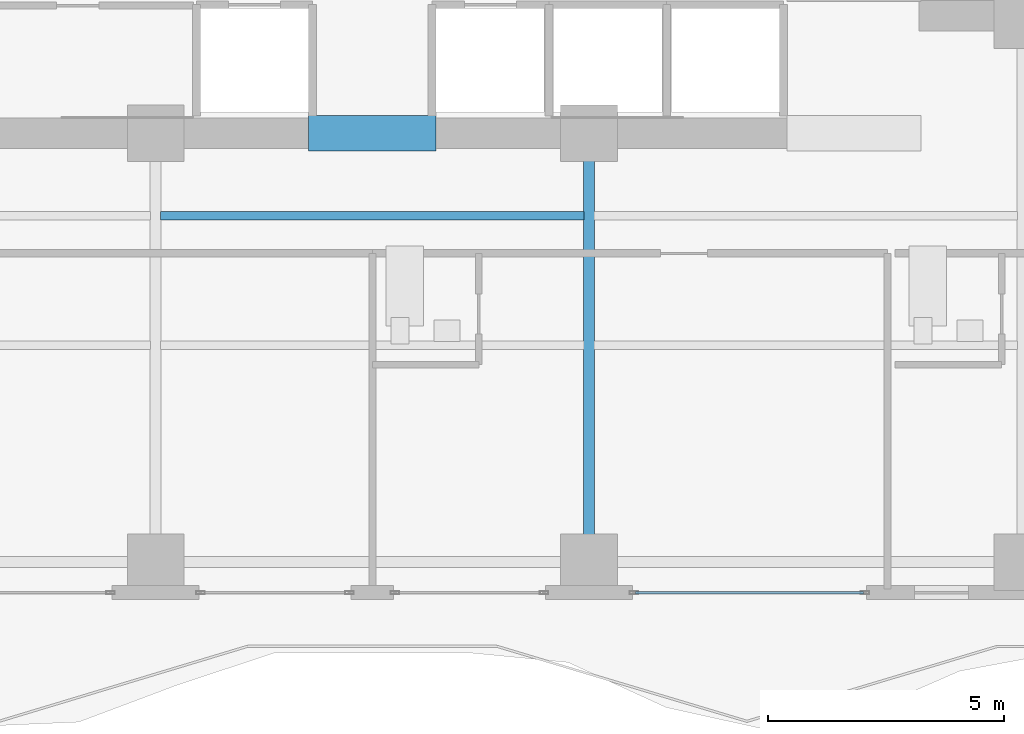
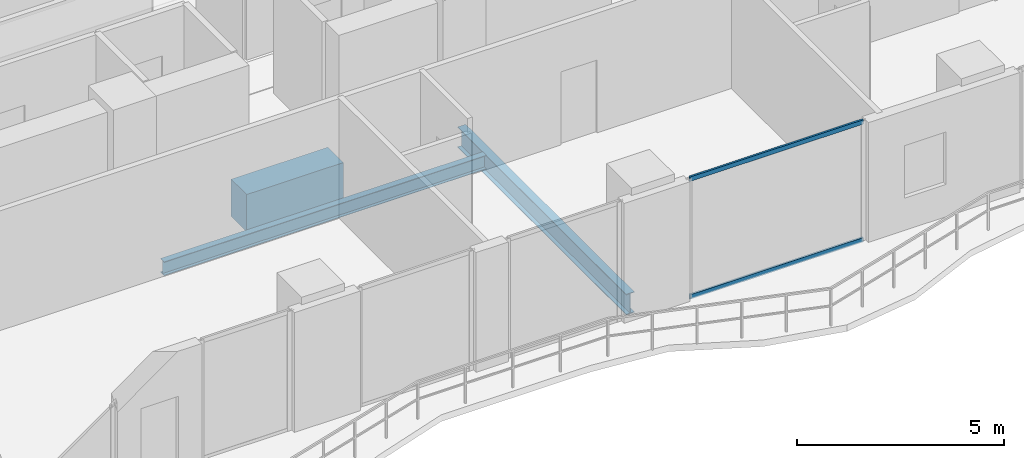
# One storey, part 7 of 33: 3 beams, 2 members, 1 element without a shape of its own.
"""IFC4 building model written with IfcOpenShell, lengths in metres."""

from ifc_helpers import new_model, si_unit, direction, frame, origin, origin_2d, place, context, subcontext, project, spatial, rectangle, hollow_rectangle, i_section, extrude, material, layer, layer_set, material_profile, profile_set, type_object, element, aggregate, save


model = new_model("IFC4")

# Units and contexts
model_context = context("Model", 3, precision=1e-05, world=origin(), true_north=direction((0.0, 1.0)))
body_context = subcontext(model_context, "Body", "Model", "MODEL_VIEW")
ifc_project = project(units=[si_unit("LENGTHUNIT", "METRE"), si_unit("AREAUNIT", "SQUARE_METRE"), si_unit("VOLUMEUNIT", "CUBIC_METRE"), si_unit("PLANEANGLEUNIT", "RADIAN"), si_unit("MASSUNIT", "GRAM", prefix="KILO")], contexts=[model_context])

# Site, building, storey
site_placement = place(None, origin())
site = spatial("IfcSite", under=ifc_project, at=site_placement, CompositionType="ELEMENT")
building_placement = place(site_placement, origin())
building = spatial("IfcBuilding", under=site, at=building_placement, Name="Zuhayl Quay Hotel", CompositionType="ELEMENT")
storey_placement = place(building_placement, frame((0.0, 0.0, 214.89990234375)))
storey = spatial("IfcBuildingStorey", under=building, at=storey_placement, Name="L54", CompositionType="ELEMENT", Elevation=214.89990234375)

# Beams
ifc_material_1 = material(Name="Steel ASTM A992 Grade 50", Category="steel")
ifc_material_profile_1 = material_profile(ifc_material_1, i_section(OverallWidth=0.22802734375, OverallDepth=0.60693359375, WebThickness=0.01123046875, FlangeThickness=0.017333984375, at=origin_2d()), Name="W24X76")
ifc_profile_set_1 = profile_set([ifc_material_profile_1], Name="Steel ASTM A992 Grade 50")
beam_type_1 = type_object("IfcBeamType", Name="BM_B3_W24X76", PredefinedType="BEAM", material=ifc_profile_set_1)
beam_1_placement = place(storey_placement, frame((4.60009765625, -6.449951171875, -0.5234375), z_axis=(0.0, 1.0, 0.0), x_axis=(-1.0, 0.0, 0.0)))
element("IfcBeam", 1, at=beam_1_placement, inside=storey, type_object=beam_type_1, Name="L54 Floor Beam FG_S_L54_3", PredefinedType="BEAM", context=body_context, shape_type="SweptSolid", body=[
    extrude(i_section(OverallWidth=0.22802734375, OverallDepth=0.60693359375, WebThickness=0.01123046875, FlangeThickness=0.017333984375, at=origin_2d()), origin(), (0.0, 0.0, 1.0), 8.14990234375),
])
ifc_material_2 = material(Name="Concrete C60/75", Category="concrete")
ifc_material_profile_2 = material_profile(ifc_material_2, rectangle(XDim=0.75, YDim=1.10009765625, at=origin_2d()), Name="RC750X1100")
ifc_profile_set_2 = profile_set([ifc_material_profile_2], Name="Concrete C60/75")
beam_type_2 = type_object("IfcBeamType", Name="BM_CB2_RC750", PredefinedType="T_BEAM", material=ifc_profile_set_2)
beam_2_placement = place(storey_placement, frame((-1.35009765625, 2.14990234375, -0.77001953125), z_axis=(1.0, 0.0, 0.0), x_axis=(0.0, 1.0, 0.0)))
element("IfcBeam", 2, at=beam_2_placement, inside=storey, type_object=beam_type_2, Name="L54 Core Coupling Beam South", PredefinedType="T_BEAM", context=body_context, shape_type="SweptSolid", body=[
    extrude(rectangle(XDim=0.75, YDim=1.10009765625, at=origin_2d()), origin(), (0.0, 0.0, 1.0), 2.7001953125),
])
ifc_material_profile_3 = material_profile(ifc_material_1, i_section(OverallWidth=0.177978515625, OverallDepth=0.406005859375, WebThickness=0.0078125, FlangeThickness=0.0126953125, at=origin_2d()), Name="W16X40")
ifc_profile_set_3 = profile_set([ifc_material_profile_3], Name="Steel ASTM A992 Grade 50")
beam_type_3 = type_object("IfcBeamType", Name="BM_J2B_W16X40", PredefinedType="JOIST", material=ifc_profile_set_3)
beam_3_placement = place(storey_placement, frame((-4.493896484375, 0.39990234375, -0.4228515625), z_axis=(1.0, 0.0, 0.0), x_axis=(0.0, 1.0, 0.0)))
element("IfcBeam", 3, at=beam_3_placement, inside=storey, type_object=beam_type_3, Name="L54 Floor Beam FJ_L54_8_2", PredefinedType="JOIST", context=body_context, shape_type="SweptSolid", body=[
    extrude(i_section(OverallWidth=0.177978515625, OverallDepth=0.406005859375, WebThickness=0.0078125, FlangeThickness=0.0126953125, at=origin_2d()), origin(), (0.0, 0.0, 1.0), 8.98779296875),
])

# Curtain wall, members
ifc_material_3 = material(Name="Anodised Aluminium 6063-T6", Category="aluminium")
ifc_layer = layer(ifc_material_3, 0.175048828125, Name="Anodised Aluminium 6063-T6", Category="aluminium")
ifc_layer_set = layer_set([ifc_layer], Name="Anodised Aluminium 6063-T6")
curtain_wall_type = type_object("IfcCurtainWallType", Name="CW_SYS_Z3", PredefinedType="USERDEFINED", material=ifc_layer_set)
curtain_wall_placement = place(storey_placement, origin())
curtain_wall = element("IfcCurtainWall", 4, at=curtain_wall_placement, inside=storey, type_object=curtain_wall_type, Name="L54 Curtain Wall ENV_L54_S_CW2", ObjectType="UNITISED CURTAIN WALL", PredefinedType="USERDEFINED")
ifc_material_4 = material(Name="Black-anodised aluminium 6063-T6", Category="aluminium")
ifc_material_profile_4 = material_profile(ifc_material_4, hollow_rectangle(XDim=0.054931640625, YDim=0.1298828125, WallThickness=0.0029296875, at=origin_2d()), Name="ALU130X55")
ifc_profile_set_4 = profile_set([ifc_material_profile_4], Name="Black-anodised aluminium 6063-T6")
member_type = type_object("IfcMemberType", Name="MB_CW_TRN_130", PredefinedType="USERDEFINED", material=ifc_profile_set_4)
member_1_placement = place(storey_placement, frame((10.425048828125, -7.60009765625, 0.027587890625), z_axis=(-1.0, 0.0, 0.0), x_axis=(0.0, -1.0, 0.0)))
member_1 = element("IfcMember", 5, at=member_1_placement, type_object=member_type, Name="CW-Z3 transom 1.1", ObjectType="TRANSOM", PredefinedType="USERDEFINED", context=body_context, shape_type="SweptSolid", body=[
    extrude(hollow_rectangle(XDim=0.054931640625, YDim=0.1298828125, WallThickness=0.0029296875, at=origin_2d()), origin(), (0.0, 0.0, 1.0), 4.840087890625),
])
member_2_placement = place(storey_placement, frame((10.425048828125, -7.60009765625, 3.502685546875), z_axis=(-1.0, 0.0, 0.0), x_axis=(0.0, -1.0, 0.0)))
member_2 = element("IfcMember", 6, at=member_2_placement, type_object=member_type, Name="CW-Z3 transom 1.2", ObjectType="TRANSOM", PredefinedType="USERDEFINED", context=body_context, shape_type="SweptSolid", body=[
    extrude(hollow_rectangle(XDim=0.054931640625, YDim=0.1298828125, WallThickness=0.0029296875, at=origin_2d()), origin(), (0.0, 0.0, 1.0), 4.840087890625),
])
aggregate(curtain_wall, [member_1, member_2])

save(model, "model.ifc")
